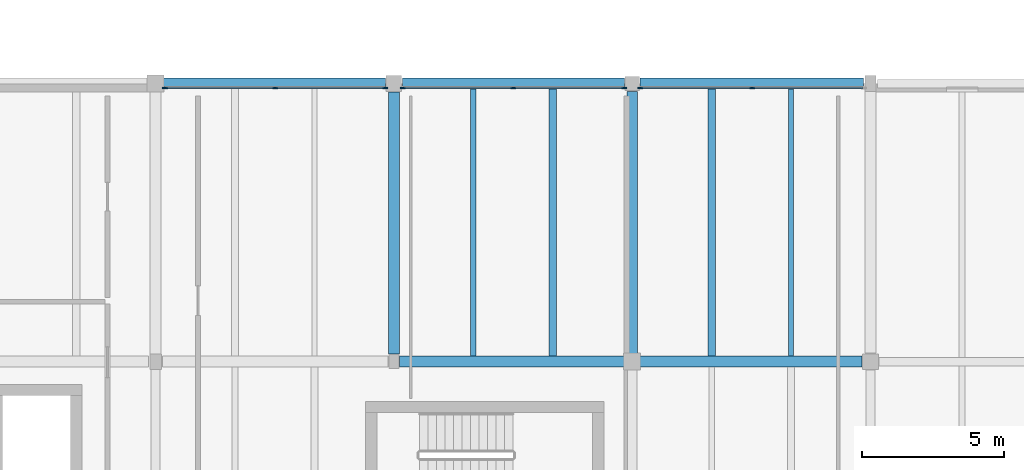
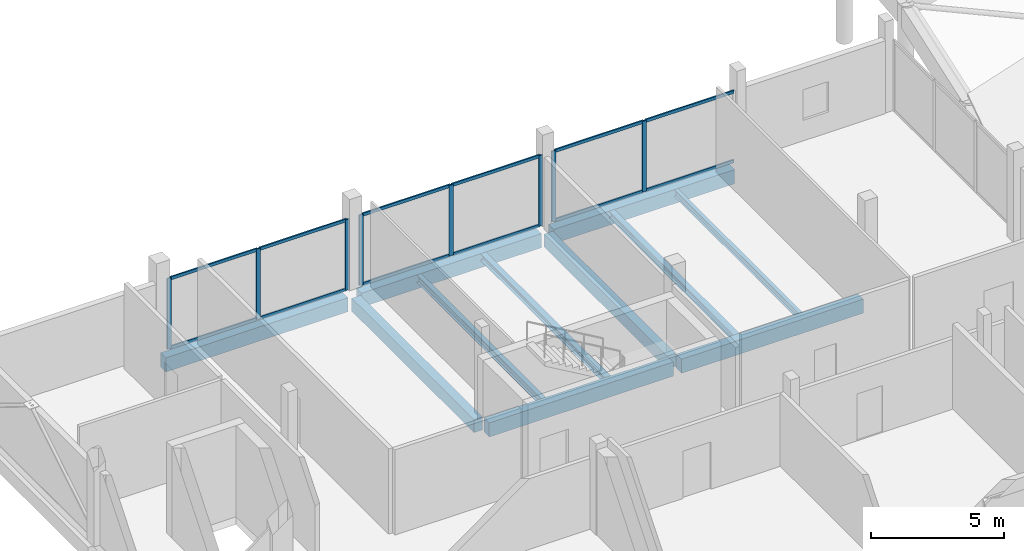
# One storey, part 6 of 41: 20 members, 11 beams, 3 elements without a shape of their own.
"""IFC4 building model written with IfcOpenShell, lengths in metres."""

from ifc_helpers import new_model, si_unit, direction, frame, origin, origin_2d, place, context, subcontext, project, spatial, rectangle, i_section, extrude, material, layer, layer_set, material_profile, profile_set, type_object, element, aggregate, save


model = new_model("IFC4")

# Units and contexts
model_context = context("Model", 3, precision=1e-05, world=origin(), true_north=direction((0.0, 1.0)))
body_context = subcontext(model_context, "Body", "Model", "MODEL_VIEW")
ifc_project = project(units=[si_unit("LENGTHUNIT", "METRE"), si_unit("AREAUNIT", "SQUARE_METRE"), si_unit("VOLUMEUNIT", "CUBIC_METRE"), si_unit("PLANEANGLEUNIT", "RADIAN"), si_unit("MASSUNIT", "GRAM", prefix="KILO")], contexts=[model_context])

# Site, building, storey
site_placement = place(None, origin())
site = spatial("IfcSite", under=ifc_project, at=site_placement, CompositionType="ELEMENT")
building_placement = place(site_placement, origin())
building = spatial("IfcBuilding", under=site, at=building_placement, Name="Birchvale Park Specialist Clinic", CompositionType="ELEMENT")
storey_placement = place(building_placement, frame((0.0, 0.0, 9.60009765625)))
storey = spatial("IfcBuildingStorey", under=building, at=storey_placement, Name="L02", CompositionType="ELEMENT", Elevation=9.60009765625)

# Beams
ifc_material_1 = material(Name="Concrete C40/50", Category="concrete")
ifc_material_profile_1 = material_profile(ifc_material_1, rectangle(XDim=0.39990234375, YDim=0.64990234375, at=origin_2d()), Name="RCB-400x650")
ifc_profile_set_1 = profile_set([ifc_material_profile_1], Name="Concrete C40/50")
beam_type_1 = type_object("IfcBeamType", Name="BM-INT-BG4", PredefinedType="BEAM", material=ifc_profile_set_1)
beam_1_placement = place(storey_placement, frame((28.199951171875, 34.60009765625, -0.675048828125), z_axis=(1.0, 0.0, 0.0), x_axis=(0.0, 1.0, 0.0)))
element("IfcBeam", 1, at=beam_1_placement, inside=storey, type_object=beam_type_1, Name="V2 L02 X girder 13", PredefinedType="BEAM", context=body_context, shape_type="SweptSolid", body=[
    extrude(rectangle(XDim=0.39990234375, YDim=0.64990234375, at=origin_2d()), origin(), (0.0, 0.0, 1.0), 8.025146484375),
])
for number, where, z_axis, x_axis, name in (
    (2, (36.574951171875, 34.60009765625, -0.675048828125), (1.0, 0.0, 0.0), (0.0, 1.0, 0.0), "V2 L02 X girder 14"),
    (3, (19.77490234375, 44.39990234375, -0.675048828125), (1.0, 0.0, 0.0), (0.0, 1.0, 0.0), "V2 L02 X girder 17"),
):
    element("IfcBeam", number, at=place(storey_placement, frame(where, z_axis=z_axis, x_axis=x_axis)), inside=storey, type_object=beam_type_1, Name=name, PredefinedType="BEAM", context=body_context, shape_type="SweptSolid", body=[
        extrude(rectangle(XDim=0.39990234375, YDim=0.64990234375, at=origin_2d()), origin(), (0.0, 0.0, 1.0), 7.925048828125),
    ])
beam_2_placement = place(storey_placement, frame((28.300048828125, 44.39990234375, -0.675048828125), z_axis=(1.0, 0.0, 0.0), x_axis=(0.0, 1.0, 0.0)))
element("IfcBeam", 4, at=beam_2_placement, inside=storey, type_object=beam_type_1, Name="V2 L02 X girder 18", PredefinedType="BEAM", context=body_context, shape_type="SweptSolid", body=[
    extrude(rectangle(XDim=0.39990234375, YDim=0.64990234375, at=origin_2d()), origin(), (0.0, 0.0, 1.0), 7.824951171875),
])
beam_3_placement = place(storey_placement, frame((36.675048828125, 44.39990234375, -0.675048828125), z_axis=(1.0, 0.0, 0.0), x_axis=(0.0, 1.0, 0.0)))
element("IfcBeam", 5, at=beam_3_placement, inside=storey, type_object=beam_type_1, Name="V2 L02 X girder 19", PredefinedType="BEAM", context=body_context, shape_type="SweptSolid", body=[
    extrude(rectangle(XDim=0.39990234375, YDim=0.64990234375, at=origin_2d()), origin(), (0.0, 0.0, 1.0), 7.875),
])
ifc_material_profile_2 = material_profile(ifc_material_1, rectangle(XDim=0.3798828125, YDim=0.60009765625, at=origin_2d()), Name="RCB-380x600")
ifc_profile_set_2 = profile_set([ifc_material_profile_2], Name="Concrete C40/50")
beam_type_2 = type_object("IfcBeamType", Name="BM-INT-BG5", PredefinedType="BEAM", material=ifc_profile_set_2)
beam_4_placement = place(storey_placement, frame((28.0, 34.875, -0.650146484375), z_axis=(0.0, 1.0, 0.0), x_axis=(-1.0, 0.0, 0.0)))
element("IfcBeam", 6, at=beam_4_placement, inside=storey, type_object=beam_type_2, Name="V2 L02 Y girder 28", PredefinedType="BEAM", context=body_context, shape_type="SweptSolid", body=[
    extrude(rectangle(XDim=0.3798828125, YDim=0.60009765625, at=origin_2d()), origin(), (0.0, 0.0, 1.0), 9.22509765625),
])
beam_5_placement = place(storey_placement, frame((36.39990234375, 34.85009765625, -0.650146484375), z_axis=(0.0, 1.0, 0.0), x_axis=(-1.0, 0.0, 0.0)))
element("IfcBeam", 7, at=beam_5_placement, inside=storey, type_object=beam_type_2, Name="V2 L02 Y girder 31", PredefinedType="BEAM", context=body_context, shape_type="SweptSolid", body=[
    extrude(rectangle(XDim=0.3798828125, YDim=0.60009765625, at=origin_2d()), origin(), (0.0, 0.0, 1.0), 9.27490234375),
])

# Curtain wall, members
ifc_material_2 = material(Name="Thermally broken anodised aluminium", Category="aluminium")
ifc_layer = layer(ifc_material_2, 0.195068359375)
ifc_layer_set = layer_set([ifc_layer], Name="Thermally broken anodised aluminium")
curtain_wall_type = type_object("IfcCurtainWallType", Name="CW-U2", PredefinedType="USERDEFINED", material=ifc_layer_set)
curtain_wall_1_placement = place(storey_placement, origin())
curtain_wall_1 = element("IfcCurtainWall", 8, at=curtain_wall_1_placement, inside=storey, type_object=curtain_wall_type, Name="V2 L02 glazed curtain wall 105", ObjectType="UNITISED", PredefinedType="USERDEFINED")
ifc_material_profile_3 = material_profile(ifc_material_2, rectangle(XDim=0.06494140625, YDim=0.179931640625, at=origin_2d()), Name="CWM-65x180")
ifc_profile_set_3 = profile_set([ifc_material_profile_3], Name="Thermally broken anodised aluminium")
member_type_1 = type_object("IfcMemberType", Name="CWM2", PredefinedType="MULLION", material=ifc_profile_set_3)
member_1_placement = place(storey_placement, frame((40.625, 44.2451171875, 0.0), z_axis=(0.0, 0.0, 1.0), x_axis=(0.0, -1.0, 0.0)))
member_1 = element("IfcMember", 9, at=member_1_placement, type_object=member_type_1, Name="CW mullion 2", PredefinedType="MULLION", context=body_context, shape_type="SweptSolid", body=[
    extrude(rectangle(XDim=0.06494140625, YDim=0.179931640625, at=origin_2d()), origin(), (0.0, 0.0, 1.0), 3.260009765625),
])
member_2_placement = place(storey_placement, frame((36.6826171875, 44.2451171875, 0.0), z_axis=(0.0, 0.0, 1.0), x_axis=(0.0, -1.0, 0.0)))
member_2 = element("IfcMember", 10, at=member_2_placement, type_object=member_type_1, Name="CW mullion 3", PredefinedType="MULLION", context=body_context, shape_type="SweptSolid", body=[
    extrude(rectangle(XDim=0.06494140625, YDim=0.179931640625, at=origin_2d()), origin(), (0.0, 0.0, 1.0), 3.260009765625),
])

curtain_wall_2_placement = place(storey_placement, origin())
curtain_wall_2 = element("IfcCurtainWall", 11, at=curtain_wall_2_placement, inside=storey, type_object=curtain_wall_type, Name="V2 L02 glazed curtain wall 106", ObjectType="UNITISED", PredefinedType="USERDEFINED")
member_3_placement = place(storey_placement, frame((36.117431640625, 44.2451171875, 0.0), z_axis=(0.0, 0.0, 1.0), x_axis=(0.0, -1.0, 0.0)))
member_3 = element("IfcMember", 12, at=member_3_placement, type_object=member_type_1, Name="CW mullion 1", PredefinedType="MULLION", context=body_context, shape_type="SweptSolid", body=[
    extrude(rectangle(XDim=0.06494140625, YDim=0.179931640625, at=origin_2d()), origin(), (0.0, 0.0, 1.0), 3.2548828125),
])
member_4_placement = place(storey_placement, frame((32.21240234375, 44.2451171875, 0.0), z_axis=(0.0, 0.0, 1.0), x_axis=(0.0, -1.0, 0.0)))
member_4 = element("IfcMember", 13, at=member_4_placement, type_object=member_type_1, Name="CW mullion 2", PredefinedType="MULLION", context=body_context, shape_type="SweptSolid", body=[
    extrude(rectangle(XDim=0.06494140625, YDim=0.179931640625, at=origin_2d()), origin(), (0.0, 0.0, 1.0), 3.2548828125),
])
member_5_placement = place(storey_placement, frame((28.3076171875, 44.2451171875, 0.0), z_axis=(0.0, 0.0, 1.0), x_axis=(0.0, -1.0, 0.0)))
member_5 = element("IfcMember", 14, at=member_5_placement, type_object=member_type_1, Name="CW mullion 3", PredefinedType="MULLION", context=body_context, shape_type="SweptSolid", body=[
    extrude(rectangle(XDim=0.06494140625, YDim=0.179931640625, at=origin_2d()), origin(), (0.0, 0.0, 1.0), 3.2548828125),
])

curtain_wall_3_placement = place(storey_placement, origin())
curtain_wall_3 = element("IfcCurtainWall", 15, at=curtain_wall_3_placement, inside=storey, type_object=curtain_wall_type, Name="V2 L02 glazed curtain wall 107", ObjectType="UNITISED", PredefinedType="USERDEFINED")
member_6_placement = place(storey_placement, frame((27.6923828125, 44.2451171875, 0.0), z_axis=(0.0, 0.0, 1.0), x_axis=(0.0, -1.0, 0.0)))
member_6 = element("IfcMember", 16, at=member_6_placement, type_object=member_type_1, Name="CW mullion 1", PredefinedType="MULLION", context=body_context, shape_type="SweptSolid", body=[
    extrude(rectangle(XDim=0.06494140625, YDim=0.179931640625, at=origin_2d()), origin(), (0.0, 0.0, 1.0), 3.2548828125),
])
member_7_placement = place(storey_placement, frame((23.8125, 44.2451171875, 0.0), z_axis=(0.0, 0.0, 1.0), x_axis=(0.0, -1.0, 0.0)))
member_7 = element("IfcMember", 17, at=member_7_placement, type_object=member_type_1, Name="CW mullion 2", PredefinedType="MULLION", context=body_context, shape_type="SweptSolid", body=[
    extrude(rectangle(XDim=0.06494140625, YDim=0.179931640625, at=origin_2d()), origin(), (0.0, 0.0, 1.0), 3.2548828125),
])
member_8_placement = place(storey_placement, frame((19.9326171875, 44.2451171875, 0.0), z_axis=(0.0, 0.0, 1.0), x_axis=(0.0, -1.0, 0.0)))
member_8 = element("IfcMember", 18, at=member_8_placement, type_object=member_type_1, Name="CW mullion 3", PredefinedType="MULLION", context=body_context, shape_type="SweptSolid", body=[
    extrude(rectangle(XDim=0.06494140625, YDim=0.179931640625, at=origin_2d()), origin(), (0.0, 0.0, 1.0), 3.2548828125),
])

# Member
ifc_material_profile_4 = material_profile(ifc_material_2, rectangle(XDim=0.06494140625, YDim=0.139892578125, at=origin_2d()), Name="CWT-65x140")
ifc_profile_set_4 = profile_set([ifc_material_profile_4], Name="Thermally broken anodised aluminium")
member_type_2 = type_object("IfcMemberType", Name="CWT2", PredefinedType="USERDEFINED", material=ifc_profile_set_4)
member_9_placement = place(storey_placement, frame((44.534912109375, 44.2451171875, 0.032470703125), z_axis=(-1.0, 0.0, 0.0), x_axis=(0.0, -1.0, 0.0)))
member_9 = element("IfcMember", 19, at=member_9_placement, type_object=member_type_2, Name="CW transom 1.1", ObjectType="TRANSOM", PredefinedType="USERDEFINED", context=body_context, shape_type="SweptSolid", body=[
    extrude(rectangle(XDim=0.06494140625, YDim=0.139892578125, at=origin_2d()), origin(), (0.0, 0.0, 1.0), 3.87744140625),
])

member_10_placement = place(storey_placement, frame((44.534912109375, 44.2451171875, 3.227294921875), z_axis=(-1.0, 0.0, 0.0), x_axis=(0.0, -1.0, 0.0)))
member_10 = element("IfcMember", 20, at=member_10_placement, type_object=member_type_2, Name="CW transom 1.2", ObjectType="TRANSOM", PredefinedType="USERDEFINED", context=body_context, shape_type="SweptSolid", body=[
    extrude(rectangle(XDim=0.06494140625, YDim=0.139892578125, at=origin_2d()), origin(), (0.0, 0.0, 1.0), 3.87744140625),
])

member_11_placement = place(storey_placement, frame((40.592529296875, 44.2451171875, 0.032470703125), z_axis=(-1.0, 0.0, 0.0), x_axis=(0.0, -1.0, 0.0)))
member_11 = element("IfcMember", 21, at=member_11_placement, type_object=member_type_2, Name="CW transom 2.1", ObjectType="TRANSOM", PredefinedType="USERDEFINED", context=body_context, shape_type="SweptSolid", body=[
    extrude(rectangle(XDim=0.06494140625, YDim=0.139892578125, at=origin_2d()), origin(), (0.0, 0.0, 1.0), 3.87744140625),
])

member_12_placement = place(storey_placement, frame((40.592529296875, 44.2451171875, 3.227294921875), z_axis=(-1.0, 0.0, 0.0), x_axis=(0.0, -1.0, 0.0)))
member_12 = element("IfcMember", 22, at=member_12_placement, type_object=member_type_2, Name="CW transom 2.2", ObjectType="TRANSOM", PredefinedType="USERDEFINED", context=body_context, shape_type="SweptSolid", body=[
    extrude(rectangle(XDim=0.06494140625, YDim=0.139892578125, at=origin_2d()), origin(), (0.0, 0.0, 1.0), 3.87744140625),
])

aggregate(curtain_wall_1, [member_1, member_2, member_9, member_10, member_11, member_12])

member_13_placement = place(storey_placement, frame((36.0849609375, 44.2451171875, 0.032470703125), z_axis=(-1.0, 0.0, 0.0), x_axis=(0.0, -1.0, 0.0)))
member_13 = element("IfcMember", 23, at=member_13_placement, type_object=member_type_2, Name="CW transom 1.1", ObjectType="TRANSOM", PredefinedType="USERDEFINED", context=body_context, shape_type="SweptSolid", body=[
    extrude(rectangle(XDim=0.06494140625, YDim=0.139892578125, at=origin_2d()), origin(), (0.0, 0.0, 1.0), 3.83984375),
])

member_14_placement = place(storey_placement, frame((36.0849609375, 44.2451171875, 3.222412109375), z_axis=(-1.0, 0.0, 0.0), x_axis=(0.0, -1.0, 0.0)))
member_14 = element("IfcMember", 24, at=member_14_placement, type_object=member_type_2, Name="CW transom 1.2", ObjectType="TRANSOM", PredefinedType="USERDEFINED", context=body_context, shape_type="SweptSolid", body=[
    extrude(rectangle(XDim=0.06494140625, YDim=0.139892578125, at=origin_2d()), origin(), (0.0, 0.0, 1.0), 3.83984375),
])

member_15_placement = place(storey_placement, frame((32.179931640625, 44.2451171875, 0.032470703125), z_axis=(-1.0, 0.0, 0.0), x_axis=(0.0, -1.0, 0.0)))
member_15 = element("IfcMember", 25, at=member_15_placement, type_object=member_type_2, Name="CW transom 2.1", ObjectType="TRANSOM", PredefinedType="USERDEFINED", context=body_context, shape_type="SweptSolid", body=[
    extrude(rectangle(XDim=0.06494140625, YDim=0.139892578125, at=origin_2d()), origin(), (0.0, 0.0, 1.0), 3.83984375),
])

member_16_placement = place(storey_placement, frame((32.179931640625, 44.2451171875, 3.222412109375), z_axis=(-1.0, 0.0, 0.0), x_axis=(0.0, -1.0, 0.0)))
member_16 = element("IfcMember", 26, at=member_16_placement, type_object=member_type_2, Name="CW transom 2.2", ObjectType="TRANSOM", PredefinedType="USERDEFINED", context=body_context, shape_type="SweptSolid", body=[
    extrude(rectangle(XDim=0.06494140625, YDim=0.139892578125, at=origin_2d()), origin(), (0.0, 0.0, 1.0), 3.83984375),
])

aggregate(curtain_wall_2, [member_3, member_4, member_5, member_13, member_14, member_15, member_16])

member_17_placement = place(storey_placement, frame((27.659912109375, 44.2451171875, 0.032470703125), z_axis=(-1.0, 0.0, 0.0), x_axis=(0.0, -1.0, 0.0)))
member_17 = element("IfcMember", 27, at=member_17_placement, type_object=member_type_2, Name="CW transom 1.1", ObjectType="TRANSOM", PredefinedType="USERDEFINED", context=body_context, shape_type="SweptSolid", body=[
    extrude(rectangle(XDim=0.06494140625, YDim=0.139892578125, at=origin_2d()), origin(), (0.0, 0.0, 1.0), 3.81494140625),
])

member_18_placement = place(storey_placement, frame((27.659912109375, 44.2451171875, 3.222412109375), z_axis=(-1.0, 0.0, 0.0), x_axis=(0.0, -1.0, 0.0)))
member_18 = element("IfcMember", 28, at=member_18_placement, type_object=member_type_2, Name="CW transom 1.2", ObjectType="TRANSOM", PredefinedType="USERDEFINED", context=body_context, shape_type="SweptSolid", body=[
    extrude(rectangle(XDim=0.06494140625, YDim=0.139892578125, at=origin_2d()), origin(), (0.0, 0.0, 1.0), 3.81494140625),
])

member_19_placement = place(storey_placement, frame((23.780029296875, 44.2451171875, 0.032470703125), z_axis=(-1.0, 0.0, 0.0), x_axis=(0.0, -1.0, 0.0)))
member_19 = element("IfcMember", 29, at=member_19_placement, type_object=member_type_2, Name="CW transom 2.1", ObjectType="TRANSOM", PredefinedType="USERDEFINED", context=body_context, shape_type="SweptSolid", body=[
    extrude(rectangle(XDim=0.06494140625, YDim=0.139892578125, at=origin_2d()), origin(), (0.0, 0.0, 1.0), 3.81494140625),
])

member_20_placement = place(storey_placement, frame((23.780029296875, 44.2451171875, 3.222412109375), z_axis=(-1.0, 0.0, 0.0), x_axis=(0.0, -1.0, 0.0)))
member_20 = element("IfcMember", 30, at=member_20_placement, type_object=member_type_2, Name="CW transom 2.2", ObjectType="TRANSOM", PredefinedType="USERDEFINED", context=body_context, shape_type="SweptSolid", body=[
    extrude(rectangle(XDim=0.06494140625, YDim=0.139892578125, at=origin_2d()), origin(), (0.0, 0.0, 1.0), 3.81494140625),
])

aggregate(curtain_wall_3, [member_6, member_7, member_8, member_17, member_18, member_19, member_20])

# Beams
ifc_material_3 = material(Name="Steel ASTM A992 Grade 50", Category="steel")
ifc_material_profile_5 = material_profile(ifc_material_3, i_section(OverallWidth=0.2041015625, OverallDepth=0.35107421875, WebThickness=0.008544921875, FlangeThickness=0.01513671875, at=origin_2d()), Name="W14X48")
ifc_profile_set_5 = profile_set([ifc_material_profile_5], Name="Steel ASTM A992 Grade 50")
beam_type_3 = type_object("IfcBeamType", Name="STL-INT-SJ1", PredefinedType="JOIST", material=ifc_profile_set_5)
beam_6_placement = place(storey_placement, frame((30.800048828125, 34.800048828125, -0.525634765625), z_axis=(0.0, 1.0, 0.0), x_axis=(-1.0, 0.0, 0.0)))
element("IfcBeam", 31, at=beam_6_placement, inside=storey, type_object=beam_type_3, Name="V2 L02 secondary floor joist 11", PredefinedType="JOIST", context=body_context, shape_type="SweptSolid", body=[
    extrude(i_section(OverallWidth=0.2041015625, OverallDepth=0.35107421875, WebThickness=0.008544921875, FlangeThickness=0.01513671875, at=origin_2d()), origin(), (0.0, 0.0, 1.0), 9.39990234375),
])
ifc_material_profile_6 = material_profile(ifc_material_3, i_section(OverallWidth=0.25390625, OverallDepth=0.305908203125, WebThickness=0.0087890625, FlangeThickness=0.0146484375, at=origin_2d()), Name="W12X53")
ifc_profile_set_6 = profile_set([ifc_material_profile_6], Name="Steel ASTM A992 Grade 50")
beam_type_4 = type_object("IfcBeamType", Name="STL-INT-SJ2", PredefinedType="JOIST", material=ifc_profile_set_6)
for number, where, z_axis, x_axis, name in (
    (32, (33.60009765625, 34.800048828125, -0.503173828125), (0.0, 1.0, 0.0), (-1.0, 0.0, 0.0), "V2 L02 secondary floor joist 12"),
    (33, (39.199951171875, 34.800048828125, -0.503173828125), (0.0, 1.0, 0.0), (-1.0, 0.0, 0.0), "V2 L02 secondary floor joist 17"),
):
    element("IfcBeam", number, at=place(storey_placement, frame(where, z_axis=z_axis, x_axis=x_axis)), inside=storey, type_object=beam_type_4, Name=name, PredefinedType="JOIST", context=body_context, shape_type="SweptSolid", body=[
        extrude(i_section(OverallWidth=0.25390625, OverallDepth=0.305908203125, WebThickness=0.0087890625, FlangeThickness=0.0146484375, at=origin_2d()), origin(), (0.0, 0.0, 1.0), 9.39990234375),
    ])
ifc_material_profile_7 = material_profile(ifc_material_3, i_section(OverallWidth=0.1669921875, OverallDepth=0.31689453125, WebThickness=0.007568359375, FlangeThickness=0.01318359375, at=origin_2d()), Name="W12X35")
ifc_profile_set_7 = profile_set([ifc_material_profile_7], Name="Steel ASTM A992 Grade 50")
beam_type_5 = type_object("IfcBeamType", Name="STL-INT-SJ3", PredefinedType="JOIST", material=ifc_profile_set_7)
beam_7_placement = place(storey_placement, frame((42.0, 34.800048828125, -0.508544921875), z_axis=(0.0, 1.0, 0.0), x_axis=(-1.0, 0.0, 0.0)))
element("IfcBeam", 34, at=beam_7_placement, inside=storey, type_object=beam_type_5, Name="V2 L02 secondary floor joist 18", PredefinedType="JOIST", context=body_context, shape_type="SweptSolid", body=[
    extrude(i_section(OverallWidth=0.1669921875, OverallDepth=0.31689453125, WebThickness=0.007568359375, FlangeThickness=0.01318359375, at=origin_2d()), origin(), (0.0, 0.0, 1.0), 9.39990234375),
])

save(model, "model.ifc")
